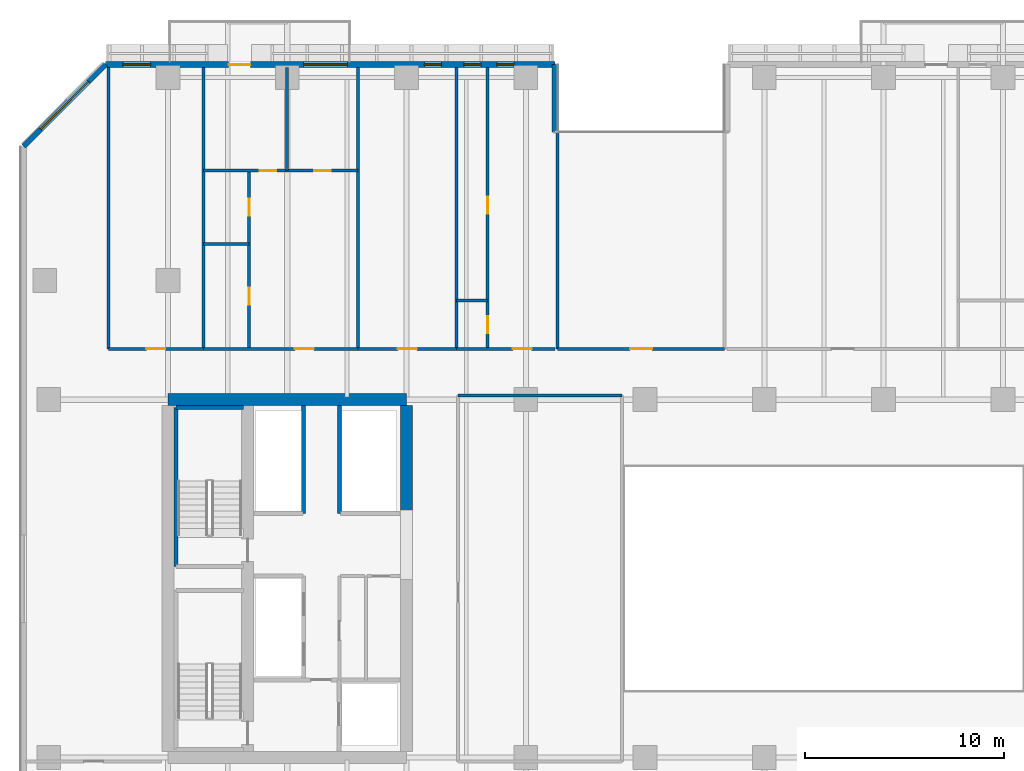
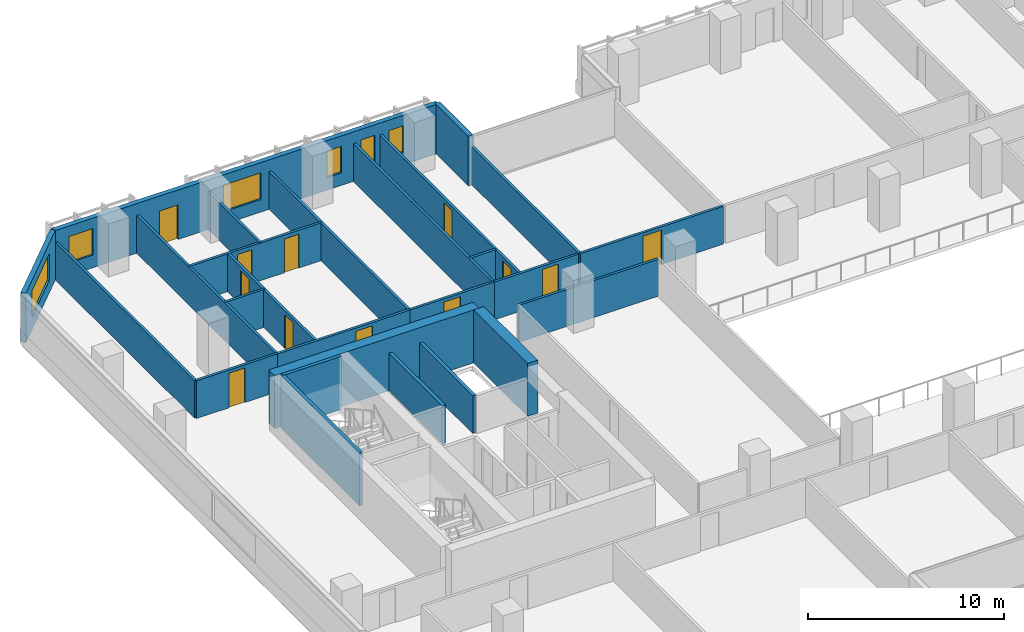
# One storey, part 12 of 25: 26 walls, 12 doors, 6 windows, 18 openings.
"""IFC4 building model written with IfcOpenShell, lengths in metres."""

from ifc_helpers import new_model, si_unit, direction, frame, frame_2d, origin, place, context, subcontext, project, spatial, rectangle, extrude, material, layer, layer_set, type_object, element, fill, save


model = new_model("IFC4")

# Units and contexts
model_context = context("Model", 3, precision=1e-05, world=origin(), true_north=direction((0.0, 1.0)))
body_context = subcontext(model_context, "Body", "Model", "MODEL_VIEW")
ifc_project = project(units=[si_unit("LENGTHUNIT", "METRE"), si_unit("AREAUNIT", "SQUARE_METRE"), si_unit("VOLUMEUNIT", "CUBIC_METRE"), si_unit("PLANEANGLEUNIT", "RADIAN"), si_unit("MASSUNIT", "GRAM", prefix="KILO")], contexts=[model_context])

# Site, building, storey
site_placement = place(None, origin())
site = spatial("IfcSite", under=ifc_project, at=site_placement, CompositionType="ELEMENT")
building_placement = place(site_placement, origin())
building = spatial("IfcBuilding", under=site, at=building_placement, Name="Tanjung Sevakor Pilgrim Tower", CompositionType="ELEMENT")
storey_placement = place(building_placement, frame((0.0, 0.0, 42.239990234375)))
storey = spatial("IfcBuildingStorey", under=building, at=storey_placement, Name="L11", CompositionType="ELEMENT", Elevation=42.239990234375)

# Walls
ifc_material_1 = material(Name="Concrete C60/75", Category="concrete")
ifc_layer_1 = layer(ifc_material_1, 0.60009765625)
ifc_layer_set_1 = layer_set([ifc_layer_1], Name="WALL-CW-600")
wall_type_1 = type_object("IfcWallType", Name="WALL-CW-600", PredefinedType="SHEAR", material=ifc_layer_set_1)
wall_1_placement = place(storey_placement, frame((36.0, 42.60009765625, 0.0), z_axis=(0.0, 0.0, 1.0), x_axis=(-1.0, 0.0, 0.0)))
element("IfcWall", 1, at=wall_1_placement, inside=storey, type_object=wall_type_1, Name="L11 W Core North Shear Wall", PredefinedType="SHEAR", context=body_context, shape_type="SweptSolid", body=[
    extrude(rectangle(XDim=12.0, YDim=0.60009765625, at=frame_2d((6.0, 0.0))), origin(), (0.0, 0.0, 1.0), 3.300048828125),
])
wall_2_placement = place(storey_placement, frame((36.0, 36.800048828125, 0.0), z_axis=(0.0, 0.0, 1.0), x_axis=(0.0, 1.0, 0.0)))
element("IfcWall", 2, at=wall_2_placement, inside=storey, type_object=wall_type_1, Name="L11 W Core Inner Shear Wall North", PredefinedType="SHEAR", context=body_context, shape_type="SweptSolid", body=[
    extrude(rectangle(XDim=5.5, YDim=0.60009765625, at=frame_2d((2.75, 0.0))), origin(), (0.0, 0.0, 1.0), 3.300048828125),
])
ifc_material_2 = material(Name="Concrete C40/50", Category="concrete")
ifc_layer_2 = layer(ifc_material_2, 0.14990234375)
ifc_layer_set_2 = layer_set([ifc_layer_2], Name="WT-COMP-150")
wall_type_2 = type_object("IfcWallType", Name="WT-COMP-150", PredefinedType="SOLIDWALL", material=ifc_layer_set_2)
wall_3_placement = place(storey_placement, frame((38.60009765625, 42.800048828125, 0.0), z_axis=(0.0, 0.0, 1.0), x_axis=(1.0, 0.0, 0.0)))
element("IfcWall", 3, at=wall_3_placement, inside=storey, type_object=wall_type_2, Name="L11 Partition IW-L11-026", PredefinedType="SOLIDWALL", context=body_context, shape_type="SweptSolid", body=[
    extrude(rectangle(XDim=8.25, YDim=0.14990234375, at=frame_2d((4.125, 0.0))), origin(), (0.0, 0.0, 1.0), 2.295166015625),
])

# Wall, opening, door
wall_4_placement = place(storey_placement, frame((43.60009765625, 45.14990234375, 0.0), z_axis=(0.0, 0.0, 1.0), x_axis=(1.0, 0.0, 0.0)))
wall_4 = element("IfcWall", 4, at=wall_4_placement, inside=storey, type_object=wall_type_2, Name="L11 Partition IW-L11-043", PredefinedType="SOLIDWALL", context=body_context, shape_type="SweptSolid", body=[
    extrude(rectangle(XDim=8.39990234375, YDim=0.14990234375, at=frame_2d((4.199951171875, 0.0))), origin(), (0.0, 0.0, 1.0), 2.35009765625),
])
opening_1_placement = place(wall_4_placement, frame((3.64990234375, 0.0, 0.0)))
opening_1 = element("IfcOpeningElement", 5, at=opening_1_placement, cuts=wall_4, Name="Opening ID-RM2", PredefinedType="OPENING", context=body_context, shape_type="SweptSolid", body=[
    extrude(rectangle(XDim=1.10009765625, YDim=2.14990234375, at=frame_2d((0.550048828125, 1.074951171875))), frame((0.0, 0.0849609375, 0.0), z_axis=(0.0, -1.0, 0.0), x_axis=(1.0, 0.0, 0.0)), (0.0, 0.0, 1.0), 0.169921875),
])
ifc_material_3 = material(Name="Hardwood Timber", Category="wood")
door_type_1 = type_object("IfcDoorType", Name="DT-INT-1100", OperationType="NOTDEFINED", PredefinedType="DOOR", material=ifc_material_3)
door_1_placement = place(opening_1_placement, origin())
door_1 = element("IfcDoor", 6, at=door_1_placement, inside=storey, type_object=door_type_1, Name="L11 North Cleft Prayer Room Door", OperationType="SINGLE_SWING_RIGHT", OverallHeight=2.14990234375, OverallWidth=1.10009765625, PredefinedType="DOOR", context=body_context, shape_type="SweptSolid", body=[
    extrude(rectangle(XDim=1.10009765625, YDim=2.14990234375, at=frame_2d((0.550048828125, 1.074951171875))), frame((0.0, 0.02490234375, 0.0), z_axis=(0.0, -1.0, 0.0), x_axis=(1.0, 0.0, 0.0)), (0.0, 0.0, 1.0), 0.050048828125),
])
fill(opening_1, door_1)

# Walls
for number, where, z_axis, x_axis, name in (
    (7, (43.60009765625, 45.14990234375, 0.0), (0.0, 0.0, 1.0), (0.0, 1.0, 0.0), "L11 Partition IW-L11-044"),
    (8, (21.0, 45.14990234375, 0.0), (0.0, 0.0, 1.0), (0.0, 1.0, 0.0), "L11 Partition IW-L11-066"),
    (9, (25.779296875, 45.14990234375, 0.0), (0.0, 0.0, 1.0), (0.0, 1.0, 0.0), "L11 Partition IW-L11-067"),
):
    element("IfcWall", number, at=place(storey_placement, frame(where, z_axis=z_axis, x_axis=x_axis)), inside=storey, type_object=wall_type_2, Name=name, PredefinedType="SOLIDWALL", context=body_context, shape_type="SweptSolid", body=[
        extrude(rectangle(XDim=14.170166015625, YDim=0.14990234375, at=frame_2d((7.0849609375, 0.0))), origin(), (0.0, 0.0, 1.0), 2.35009765625),
    ])

# Wall, opening, door
wall_5_placement = place(storey_placement, frame((21.0, 45.14990234375, 0.0), z_axis=(0.0, 0.0, 1.0), x_axis=(1.0, 0.0, 0.0)))
wall_5 = element("IfcWall", 10, at=wall_5_placement, inside=storey, type_object=wall_type_2, Name="L11 Partition IW-L11-068", PredefinedType="SOLIDWALL", context=body_context, shape_type="SweptSolid", body=[
    extrude(rectangle(XDim=4.779296875, YDim=0.14990234375, at=frame_2d((2.3896484375, 0.0))), origin(), (0.0, 0.0, 1.0), 2.35009765625),
])
opening_2_placement = place(wall_5_placement, frame((1.91455078125, 0.0, 0.0)))
opening_2 = element("IfcOpeningElement", 11, at=opening_2_placement, cuts=wall_5, Name="Opening ID-FD2", PredefinedType="OPENING", context=body_context, shape_type="SweptSolid", body=[
    extrude(rectangle(XDim=0.949951171875, YDim=2.14990234375, at=frame_2d((0.47509765625, 1.074951171875))), frame((0.0, 0.0849609375, 0.0), z_axis=(0.0, -1.0, 0.0), x_axis=(1.0, 0.0, 0.0)), (0.0, 0.0, 1.0), 0.169921875),
])
ifc_material_4 = material(Name="Fire-Rated Timber", Category="wood")
door_type_2 = type_object("IfcDoorType", Name="DT-FIRE-950", OperationType="NOTDEFINED", PredefinedType="DOOR", material=ifc_material_4)
door_2_placement = place(opening_2_placement, origin())
door_2 = element("IfcDoor", 12, at=door_2_placement, inside=storey, type_object=door_type_2, Name="Study Room Entrance", OperationType="SINGLE_SWING_RIGHT", OverallHeight=2.14990234375, OverallWidth=0.949951171875, PredefinedType="DOOR", context=body_context, shape_type="SweptSolid", body=[
    extrude(rectangle(XDim=0.949951171875, YDim=2.14990234375, at=frame_2d((0.47509765625, 1.074951171875))), frame((0.0, 0.02490234375, 0.0), z_axis=(0.0, -1.0, 0.0), x_axis=(1.0, 0.0, 0.0)), (0.0, 0.0, 1.0), 0.050048828125),
])
fill(opening_2, door_2)

# Wall
wall_6_placement = place(storey_placement, frame((33.5673828125, 45.14990234375, 0.0), z_axis=(0.0, 0.0, 1.0), x_axis=(0.0, 1.0, 0.0)))
element("IfcWall", 13, at=wall_6_placement, inside=storey, type_object=wall_type_2, Name="L11 Partition IW-L11-069", PredefinedType="SOLIDWALL", context=body_context, shape_type="SweptSolid", body=[
    extrude(rectangle(XDim=14.170166015625, YDim=0.14990234375, at=frame_2d((7.0849609375, 0.0))), origin(), (0.0, 0.0, 1.0), 2.35009765625),
])

# Wall, opening, door
wall_7_placement = place(storey_placement, frame((25.779296875, 45.14990234375, 0.0), z_axis=(0.0, 0.0, 1.0), x_axis=(1.0, 0.0, 0.0)))
wall_7 = element("IfcWall", 14, at=wall_7_placement, inside=storey, type_object=wall_type_2, Name="L11 Partition IW-L11-074", PredefinedType="SOLIDWALL", context=body_context, shape_type="SweptSolid", body=[
    extrude(rectangle(XDim=7.7880859375, YDim=0.14990234375, at=frame_2d((3.89404296875, 0.0))), origin(), (0.0, 0.0, 1.0), 2.35009765625),
])
opening_3_placement = place(wall_7_placement, frame((4.609619140625, 0.0, 0.0)))
opening_3 = element("IfcOpeningElement", 15, at=opening_3_placement, cuts=wall_7, Name="Opening ID-FD2", PredefinedType="OPENING", context=body_context, shape_type="SweptSolid", body=[
    extrude(rectangle(XDim=0.949951171875, YDim=2.14990234375, at=frame_2d((0.47509765625, 1.074951171875))), frame((0.0, 0.0849609375, 0.0), z_axis=(0.0, -1.0, 0.0), x_axis=(1.0, 0.0, 0.0)), (0.0, 0.0, 1.0), 0.169921875),
])
door_3_placement = place(opening_3_placement, origin())
door_3 = element("IfcDoor", 16, at=door_3_placement, inside=storey, type_object=door_type_2, Name="Suite Entrance", OperationType="SINGLE_SWING_LEFT", OverallHeight=2.14990234375, OverallWidth=0.949951171875, PredefinedType="DOOR", context=body_context, shape_type="SweptSolid", body=[
    extrude(rectangle(XDim=0.949951171875, YDim=2.14990234375, at=frame_2d((0.47509765625, 1.074951171875))), frame((0.0, 0.02490234375, 0.0), z_axis=(0.0, -1.0, 0.0), x_axis=(1.0, 0.0, 0.0)), (0.0, 0.0, 1.0), 0.050048828125),
])
fill(opening_3, door_3)

# Wall
wall_8_placement = place(storey_placement, frame((38.523681640625, 45.14990234375, 0.0), z_axis=(0.0, 0.0, 1.0), x_axis=(0.0, 1.0, 0.0)))
element("IfcWall", 17, at=wall_8_placement, inside=storey, type_object=wall_type_2, Name="L11 Partition IW-L11-075", PredefinedType="SOLIDWALL", context=body_context, shape_type="SweptSolid", body=[
    extrude(rectangle(XDim=14.170166015625, YDim=0.14990234375, at=frame_2d((7.0849609375, 0.0))), origin(), (0.0, 0.0, 1.0), 2.35009765625),
])

# Wall, opening, door
wall_9_placement = place(storey_placement, frame((33.5673828125, 45.14990234375, 0.0), z_axis=(0.0, 0.0, 1.0), x_axis=(1.0, 0.0, 0.0)))
wall_9 = element("IfcWall", 18, at=wall_9_placement, inside=storey, type_object=wall_type_2, Name="L11 Partition IW-L11-076", PredefinedType="SOLIDWALL", context=body_context, shape_type="SweptSolid", body=[
    extrude(rectangle(XDim=4.956298828125, YDim=0.14990234375, at=frame_2d((2.47802734375, 0.0))), origin(), (0.0, 0.0, 1.0), 2.35009765625),
])
opening_4_placement = place(wall_9_placement, frame((2.003173828125, 0.0, 0.0)))
opening_4 = element("IfcOpeningElement", 19, at=opening_4_placement, cuts=wall_9, Name="Opening ID-FD2", PredefinedType="OPENING", context=body_context, shape_type="SweptSolid", body=[
    extrude(rectangle(XDim=0.949951171875, YDim=2.14990234375, at=frame_2d((0.47509765625, 1.074951171875))), frame((0.0, 0.0849609375, 0.0), z_axis=(0.0, -1.0, 0.0), x_axis=(1.0, 0.0, 0.0)), (0.0, 0.0, 1.0), 0.169921875),
])
door_4_placement = place(opening_4_placement, origin())
door_4 = element("IfcDoor", 20, at=door_4_placement, inside=storey, type_object=door_type_2, Name="Study Room Entrance", OperationType="SINGLE_SWING_RIGHT", OverallHeight=2.14990234375, OverallWidth=0.949951171875, PredefinedType="DOOR", context=body_context, shape_type="SweptSolid", body=[
    extrude(rectangle(XDim=0.949951171875, YDim=2.14990234375, at=frame_2d((0.47509765625, 1.074951171875))), frame((0.0, 0.02490234375, 0.0), z_axis=(0.0, -1.0, 0.0), x_axis=(1.0, 0.0, 0.0)), (0.0, 0.0, 1.0), 0.050048828125),
])
fill(opening_4, door_4)

wall_10_placement = place(storey_placement, frame((38.523681640625, 45.14990234375, 0.0), z_axis=(0.0, 0.0, 1.0), x_axis=(1.0, 0.0, 0.0)))
wall_10 = element("IfcWall", 21, at=wall_10_placement, inside=storey, type_object=wall_type_2, Name="L11 Partition IW-L11-079", PredefinedType="SOLIDWALL", context=body_context, shape_type="SweptSolid", body=[
    extrude(rectangle(XDim=4.956298828125, YDim=0.14990234375, at=frame_2d((2.47802734375, 0.0))), origin(), (0.0, 0.0, 1.0), 2.35009765625),
])
opening_5_placement = place(wall_10_placement, frame((2.8212890625, 0.0, 0.0)))
opening_5 = element("IfcOpeningElement", 22, at=opening_5_placement, cuts=wall_10, Name="Opening ID-FD2", PredefinedType="OPENING", context=body_context, shape_type="SweptSolid", body=[
    extrude(rectangle(XDim=0.949951171875, YDim=2.14990234375, at=frame_2d((0.47509765625, 1.074951171875))), frame((0.0, 0.0849609375, 0.0), z_axis=(0.0, -1.0, 0.0), x_axis=(1.0, 0.0, 0.0)), (0.0, 0.0, 1.0), 0.169921875),
])
door_5_placement = place(opening_5_placement, origin())
door_5 = element("IfcDoor", 23, at=door_5_placement, inside=storey, type_object=door_type_2, Name="Hostel Quad Entrance", OperationType="SINGLE_SWING_LEFT", OverallHeight=2.14990234375, OverallWidth=0.949951171875, PredefinedType="DOOR", context=body_context, shape_type="SweptSolid", body=[
    extrude(rectangle(XDim=0.949951171875, YDim=2.14990234375, at=frame_2d((0.47509765625, 1.074951171875))), frame((0.0, 0.02490234375, 0.0), z_axis=(0.0, -1.0, 0.0), x_axis=(1.0, 0.0, 0.0)), (0.0, 0.0, 1.0), 0.050048828125),
])
fill(opening_5, door_5)

# Wall
ifc_material_5 = material(Name="Precast concrete C45/55", Category="concrete")
ifc_layer_3 = layer(ifc_material_5, 0.280029296875)
ifc_layer_set_3 = layer_set([ifc_layer_3], Name="WT-EW-STN2")
wall_type_3 = type_object("IfcWallType", Name="WT-EW-STN2", PredefinedType="SOLIDWALL", material=ifc_layer_set_3)
wall_11_placement = place(storey_placement, frame((43.4599609375, 56.06005859375, 0.0), z_axis=(0.0, 0.0, 1.0), x_axis=(0.0, 1.0, 0.0)))
element("IfcWall", 24, at=wall_11_placement, inside=storey, type_object=wall_type_3, Name="L11 MAIN Exterior Wall 12", PredefinedType="SOLIDWALL", context=body_context, shape_type="SweptSolid", body=[
    extrude(rectangle(XDim=3.39990234375, YDim=0.280029296875, at=frame_2d((1.699951171875, 0.0))), origin(), (0.0, 0.0, 1.0), 3.080078125),
])

# Wall, openings, door, windows
wall_12_placement = place(storey_placement, frame((43.4599609375, 59.4599609375, 0.0), z_axis=(0.0, 0.0, 1.0), x_axis=(-1.0, 0.0, 0.0)))
wall_12 = element("IfcWall", 25, at=wall_12_placement, inside=storey, type_object=wall_type_3, Name="L11 MAIN Exterior Wall 13", PredefinedType="SOLIDWALL", context=body_context, shape_type="SweptSolid", body=[
    extrude(rectangle(XDim=22.60205078125, YDim=0.280029296875, at=frame_2d((11.301025390625, 0.0))), origin(), (0.0, 0.0, 1.0), 3.080078125),
])
opening_6_placement = place(wall_12_placement, frame((15.31005859375, 0.0, 0.0)))
opening_6 = element("IfcOpeningElement", 26, at=opening_6_placement, cuts=wall_12, Name="Opening ED-BAL-1100", PredefinedType="OPENING", context=body_context, shape_type="SweptSolid", body=[
    extrude(rectangle(XDim=1.10009765625, YDim=2.14990234375, at=frame_2d((0.550048828125, 1.074951171875))), frame((0.0, 0.14990234375, 0.0), z_axis=(0.0, -1.0, 0.0), x_axis=(1.0, 0.0, 0.0)), (0.0, 0.0, 1.0), 0.300048828125),
])
opening_7_placement = place(wall_12_placement, frame((20.330322265625, 0.0, 0.780029296875)))
opening_7 = element("IfcOpeningElement", 27, at=opening_7_placement, cuts=wall_12, Name="Opening WN-END", PredefinedType="OPENING", context=body_context, shape_type="SweptSolid", body=[
    extrude(rectangle(XDim=1.39990234375, YDim=1.64990234375, at=frame_2d((0.699951171875, 0.824951171875))), frame((0.0, 0.14990234375, 0.0), z_axis=(0.0, -1.0, 0.0), x_axis=(1.0, 0.0, 0.0)), (0.0, 0.0, 1.0), 0.300048828125),
])
opening_8_placement = place(wall_12_placement, frame((10.436279296875, 0.0, 0.780029296875)))
opening_8 = element("IfcOpeningElement", 28, at=opening_8_placement, cuts=wall_12, Name="Opening WN-Z1-1660", PredefinedType="OPENING", context=body_context, shape_type="SweptSolid", body=[
    extrude(rectangle(XDim=2.199951171875, YDim=1.659912109375, at=frame_2d((1.10009765625, 0.830078125))), frame((0.0, 0.14990234375, 0.0), z_axis=(0.0, -1.0, 0.0), x_axis=(1.0, 0.0, 0.0)), (0.0, 0.0, 1.0), 0.300048828125),
])
opening_9_placement = place(wall_12_placement, frame((5.70947265625, 0.0, 0.780029296875)))
opening_9 = element("IfcOpeningElement", 29, at=opening_9_placement, cuts=wall_12, Name="Opening WN-SLM", PredefinedType="OPENING", context=body_context, shape_type="SweptSolid", body=[
    extrude(rectangle(XDim=0.85009765625, YDim=1.64990234375, at=frame_2d((0.425048828125, 0.824951171875))), frame((0.0, 0.14990234375, 0.0), z_axis=(0.0, -1.0, 0.0), x_axis=(1.0, 0.0, 0.0)), (0.0, 0.0, 1.0), 0.300048828125),
])
opening_10_placement = place(wall_12_placement, frame((3.72314453125, 0.0, 0.780029296875)))
opening_10 = element("IfcOpeningElement", 30, at=opening_10_placement, cuts=wall_12, Name="Opening WN-SLM", PredefinedType="OPENING", context=body_context, shape_type="SweptSolid", body=[
    extrude(rectangle(XDim=0.85009765625, YDim=1.64990234375, at=frame_2d((0.425048828125, 0.824951171875))), frame((0.0, 0.14990234375, 0.0), z_axis=(0.0, -1.0, 0.0), x_axis=(1.0, 0.0, 0.0)), (0.0, 0.0, 1.0), 0.300048828125),
])
opening_11_placement = place(wall_12_placement, frame((2.06494140625, 0.0, 0.780029296875)))
opening_11 = element("IfcOpeningElement", 31, at=opening_11_placement, cuts=wall_12, Name="Opening WN-SLM", PredefinedType="OPENING", context=body_context, shape_type="SweptSolid", body=[
    extrude(rectangle(XDim=0.85009765625, YDim=1.64990234375, at=frame_2d((0.425048828125, 0.824951171875))), frame((0.0, 0.14990234375, 0.0), z_axis=(0.0, -1.0, 0.0), x_axis=(1.0, 0.0, 0.0)), (0.0, 0.0, 1.0), 0.300048828125),
])
ifc_material_6 = material(Name="Anodised Aluminium and Laminated Glass", Category="aluminium")
door_type_3 = type_object("IfcDoorType", Name="DTYP-ED-BAL-1100", OperationType="NOTDEFINED", PredefinedType="DOOR", material=ifc_material_6)
door_6_placement = place(opening_6_placement, frame((1.10009765625, 0.0, 0.0), z_axis=(0.0, 0.0, 1.0), x_axis=(-1.0, 0.0, 0.0)))
door_6 = element("IfcDoor", 32, at=door_6_placement, inside=storey, type_object=door_type_3, Name="L11 Balcony Door MAIN-N1", OperationType="SINGLE_SWING_LEFT", OverallHeight=2.14990234375, OverallWidth=1.10009765625, PredefinedType="DOOR", context=body_context, shape_type="SweptSolid", body=[
    extrude(rectangle(XDim=1.10009765625, YDim=2.14990234375, at=frame_2d((0.550048828125, 1.074951171875))), frame((0.0, 0.02490234375, 0.0), z_axis=(0.0, -1.0, 0.0), x_axis=(1.0, 0.0, 0.0)), (0.0, 0.0, 1.0), 0.050048828125),
])
fill(opening_6, door_6)
ifc_material_7 = material(Name="Thermally Broken Aluminium and Low-E Glass", Category="aluminium")
window_type_1 = type_object("IfcWindowType", Name="WTYP-WN-END", PartitioningType="SINGLE_PANEL", PredefinedType="WINDOW", material=ifc_material_7)
window_1_placement = place(opening_7_placement, origin())
window_1 = element("IfcWindow", 33, at=window_1_placement, inside=storey, type_object=window_type_1, Name="L11 Facade Window 01", OverallHeight=1.64990234375, OverallWidth=1.39990234375, PartitioningType="SINGLE_PANEL", PredefinedType="WINDOW", context=body_context, shape_type="SweptSolid", body=[
    extrude(rectangle(XDim=1.39990234375, YDim=1.64990234375, at=frame_2d((0.699951171875, 0.824951171875))), frame((0.0, 0.030029296875, 0.0), z_axis=(0.0, -1.0, 0.0), x_axis=(1.0, 0.0, 0.0)), (0.0, 0.0, 1.0), 0.06005859375),
])
fill(opening_7, window_1)
ifc_material_8 = material(Name="Thermally Broken Aluminium and Low-E Glass", Category="aluminium")
window_type_2 = type_object("IfcWindowType", Name="WTYP-WN-SLM", PartitioningType="SINGLE_PANEL", PredefinedType="WINDOW", material=ifc_material_8)
window_2_placement = place(opening_9_placement, origin())
window_2 = element("IfcWindow", 34, at=window_2_placement, inside=storey, type_object=window_type_2, Name="L11 Facade Window 03", OverallHeight=1.64990234375, OverallWidth=0.85009765625, PartitioningType="SINGLE_PANEL", PredefinedType="WINDOW", context=body_context, shape_type="SweptSolid", body=[
    extrude(rectangle(XDim=0.85009765625, YDim=1.64990234375, at=frame_2d((0.425048828125, 0.824951171875))), frame((0.0, 0.030029296875, 0.0), z_axis=(0.0, -1.0, 0.0), x_axis=(1.0, 0.0, 0.0)), (0.0, 0.0, 1.0), 0.06005859375),
])
fill(opening_9, window_2)
window_3_placement = place(opening_10_placement, origin())
window_3 = element("IfcWindow", 35, at=window_3_placement, inside=storey, type_object=window_type_2, Name="L11 Facade Window 04", OverallHeight=1.64990234375, OverallWidth=0.85009765625, PartitioningType="SINGLE_PANEL", PredefinedType="WINDOW", context=body_context, shape_type="SweptSolid", body=[
    extrude(rectangle(XDim=0.85009765625, YDim=1.64990234375, at=frame_2d((0.425048828125, 0.824951171875))), frame((0.0, 0.030029296875, 0.0), z_axis=(0.0, -1.0, 0.0), x_axis=(1.0, 0.0, 0.0)), (0.0, 0.0, 1.0), 0.06005859375),
])
fill(opening_10, window_3)
window_4_placement = place(opening_11_placement, origin())
window_4 = element("IfcWindow", 36, at=window_4_placement, inside=storey, type_object=window_type_2, Name="L11 Facade Window 05", OverallHeight=1.64990234375, OverallWidth=0.85009765625, PartitioningType="SINGLE_PANEL", PredefinedType="WINDOW", context=body_context, shape_type="SweptSolid", body=[
    extrude(rectangle(XDim=0.85009765625, YDim=1.64990234375, at=frame_2d((0.425048828125, 0.824951171875))), frame((0.0, 0.030029296875, 0.0), z_axis=(0.0, -1.0, 0.0), x_axis=(1.0, 0.0, 0.0)), (0.0, 0.0, 1.0), 0.06005859375),
])
fill(opening_11, window_4)
ifc_material_9 = material(Name="Thermally Broken Aluminium and Low-E Glass", Category="aluminium")
window_type_3 = type_object("IfcWindowType", Name="WTYP-WN-Z1-1660", PartitioningType="DOUBLE_PANEL_VERTICAL", PredefinedType="WINDOW", material=ifc_material_9)
window_5_placement = place(opening_8_placement, origin())
window_5 = element("IfcWindow", 37, at=window_5_placement, inside=storey, type_object=window_type_3, Name="L11 Facade Window 02", OverallHeight=1.659912109375, OverallWidth=2.199951171875, PartitioningType="SINGLE_PANEL", PredefinedType="WINDOW", context=body_context, shape_type="SweptSolid", body=[
    extrude(rectangle(XDim=2.199951171875, YDim=1.659912109375, at=frame_2d((1.10009765625, 0.830078125))), frame((0.0, 0.030029296875, 0.0), z_axis=(0.0, -1.0, 0.0), x_axis=(1.0, 0.0, 0.0)), (0.0, 0.0, 1.0), 0.06005859375),
])
fill(opening_8, window_5)

# Wall, opening, window
wall_13_placement = place(storey_placement, frame((20.85791015625, 59.4599609375, 0.0), z_axis=(0.0, 0.0, 1.0), x_axis=(-0.707106781187, -0.707106781187, 0.0)))
wall_13 = element("IfcWall", 38, at=wall_13_placement, inside=storey, type_object=wall_type_3, Name="L11 MAIN Sculpted Corner Wall 13", PredefinedType="SOLIDWALL", context=body_context, shape_type="SweptSolid", body=[
    extrude(rectangle(XDim=5.82373046875, YDim=0.280029296875, at=frame_2d((2.911865234375, 0.0))), origin(), (0.0, 0.0, 1.0), 3.080078125),
])
opening_12_placement = place(wall_13_placement, frame((1.2119140625, 0.0, 0.780029296875)))
opening_12 = element("IfcOpeningElement", 39, at=opening_12_placement, cuts=wall_13, Name="Opening WN-CHM-1660", PredefinedType="OPENING", context=body_context, shape_type="SweptSolid", body=[
    extrude(rectangle(XDim=3.39990234375, YDim=1.659912109375, at=frame_2d((1.699951171875, 0.830078125))), frame((0.0, 0.14990234375, 0.0), z_axis=(0.0, -1.0, 0.0), x_axis=(1.0, 0.0, 0.0)), (0.0, 0.0, 1.0), 0.300048828125),
])
ifc_material_10 = material(Name="Thermally Broken Aluminium and Low-E Glass", Category="aluminium")
window_type_4 = type_object("IfcWindowType", Name="WTYP-WN-CHM-1660", PartitioningType="DOUBLE_PANEL_VERTICAL", PredefinedType="WINDOW", material=ifc_material_10)
window_6_placement = place(opening_12_placement, origin())
window_6 = element("IfcWindow", 40, at=window_6_placement, inside=storey, type_object=window_type_4, Name="L11 Facade Window 01", OverallHeight=1.659912109375, OverallWidth=3.39990234375, PartitioningType="SINGLE_PANEL", PredefinedType="WINDOW", context=body_context, shape_type="SweptSolid", body=[
    extrude(rectangle(XDim=3.39990234375, YDim=1.659912109375, at=frame_2d((1.699951171875, 0.830078125))), frame((0.0, 0.030029296875, 0.0), z_axis=(0.0, -1.0, 0.0), x_axis=(1.0, 0.0, 0.0)), (0.0, 0.0, 1.0), 0.06005859375),
])
fill(opening_12, window_6)

# Walls
ifc_material_11 = material(Name="Concrete C40/50", Category="concrete")
ifc_layer_4 = layer(ifc_material_11, 0.199951171875)
ifc_layer_set_4 = layer_set([ifc_layer_4], Name="WT-FIRE-200")
wall_type_4 = type_object("IfcWallType", Name="WT-FIRE-200", PredefinedType="SOLIDWALL", material=ifc_layer_set_4)
wall_14_placement = place(storey_placement, frame((27.800048828125, 42.199951171875, 0.0), z_axis=(0.0, 0.0, 1.0), x_axis=(-1.0, 0.0, 0.0)))
element("IfcWall", 41, at=wall_14_placement, inside=storey, type_object=wall_type_4, Name="L11 TS-W2 Shaft Wall 2", PredefinedType="SOLIDWALL", context=body_context, shape_type="SweptSolid", body=[
    extrude(rectangle(XDim=3.400146484375, YDim=0.199951171875, at=frame_2d((1.7001953125, 0.0))), origin(), (0.0, 0.0, 1.0), 3.300048828125),
])
wall_15_placement = place(storey_placement, frame((24.39990234375, 42.199951171875, 0.0), z_axis=(0.0, 0.0, 1.0), x_axis=(0.0, -1.0, 0.0)))
element("IfcWall", 42, at=wall_15_placement, inside=storey, type_object=wall_type_4, Name="L11 TS-W2 Shaft Wall 3", PredefinedType="SOLIDWALL", context=body_context, shape_type="SweptSolid", body=[
    extrude(rectangle(XDim=8.0, YDim=0.199951171875, at=frame_2d((4.0, 0.0))), origin(), (0.0, 0.0, 1.0), 3.300048828125),
])
ifc_material_12 = material(Name="Concrete C40/50", Category="concrete")
ifc_layer_5 = layer(ifc_material_12, 0.199951171875)
ifc_layer_set_5 = layer_set([ifc_layer_5], Name="WT-FPRT-200")
wall_type_5 = type_object("IfcWallType", Name="WT-FPRT-200", PredefinedType="SOLIDWALL", material=ifc_layer_set_5)
for number, where, z_axis, x_axis, name in (
    (43, (30.820068359375, 36.8798828125, 0.0), (0.0, 0.0, 1.0), (0.0, 1.0, 0.0), "L11 Partition IW-L11-010"),
    (44, (32.6201171875, 36.8798828125, 0.0), (0.0, 0.0, 1.0), (0.0, 1.0, 0.0), "L11 Partition IW-L11-012"),
):
    element("IfcWall", number, at=place(storey_placement, frame(where, z_axis=z_axis, x_axis=x_axis)), inside=storey, type_object=wall_type_5, Name=name, PredefinedType="SOLIDWALL", context=body_context, shape_type="SweptSolid", body=[
        extrude(rectangle(XDim=5.420166015625, YDim=0.199951171875, at=frame_2d((2.7099609375, 0.0))), origin(), (0.0, 0.0, 1.0), 2.35009765625),
    ])
ifc_material_13 = material(Name="Gypsum Board Partition", Category="gypsum board")
ifc_layer_6 = layer(ifc_material_13, 0.14990234375)
ifc_layer_set_6 = layer_set([ifc_layer_6], Name="WT-PART-150")
wall_type_6 = type_object("IfcWallType", Name="WT-PART-150", PredefinedType="PARTITIONING", material=ifc_layer_set_6)
wall_16_placement = place(storey_placement, frame((25.779296875, 50.4423828125, 0.0), z_axis=(0.0, 0.0, 1.0), x_axis=(1.0, 0.0, 0.0)))
element("IfcWall", 45, at=wall_16_placement, inside=storey, type_object=wall_type_6, Name="L11 Partition IW-L11-070", PredefinedType="PARTITIONING", context=body_context, shape_type="SweptSolid", body=[
    extrude(rectangle(XDim=2.30078125, YDim=0.14990234375, at=frame_2d((1.150390625, 0.0))), origin(), (0.0, 0.0, 1.0), 2.35009765625),
])

# Wall, openings, doors
wall_17_placement = place(storey_placement, frame((28.080078125, 45.14990234375, 0.0), z_axis=(0.0, 0.0, 1.0), x_axis=(0.0, 1.0, 0.0)))
wall_17 = element("IfcWall", 46, at=wall_17_placement, inside=storey, type_object=wall_type_6, Name="L11 Partition IW-L11-071", PredefinedType="PARTITIONING", context=body_context, shape_type="SweptSolid", body=[
    extrude(rectangle(XDim=8.97021484375, YDim=0.14990234375, at=frame_2d((4.485107421875, 0.0))), origin(), (0.0, 0.0, 1.0), 2.35009765625),
])
opening_13_placement = place(wall_17_placement, frame((2.22119140625, 0.0, 0.0)))
opening_13 = element("IfcOpeningElement", 47, at=opening_13_placement, cuts=wall_17, Name="Opening ID-WC1", PredefinedType="OPENING", context=body_context, shape_type="SweptSolid", body=[
    extrude(rectangle(XDim=0.85009765625, YDim=2.10009765625, at=frame_2d((0.425048828125, 1.050048828125))), frame((0.0, 0.0849609375, 0.0), z_axis=(0.0, -1.0, 0.0), x_axis=(1.0, 0.0, 0.0)), (0.0, 0.0, 1.0), 0.169921875),
])
opening_14_placement = place(wall_17_placement, frame((6.706298828125, 0.0, 0.0)))
opening_14 = element("IfcOpeningElement", 48, at=opening_14_placement, cuts=wall_17, Name="Opening ID-WC1", PredefinedType="OPENING", context=body_context, shape_type="SweptSolid", body=[
    extrude(rectangle(XDim=0.85009765625, YDim=2.10009765625, at=frame_2d((0.425048828125, 1.050048828125))), frame((0.0, 0.0849609375, 0.0), z_axis=(0.0, -1.0, 0.0), x_axis=(1.0, 0.0, 0.0)), (0.0, 0.0, 1.0), 0.169921875),
])
ifc_material_14 = material(Name="Moisture-Resistant Timber", Category="wood")
door_type_4 = type_object("IfcDoorType", Name="DT-INT-850", OperationType="NOTDEFINED", PredefinedType="DOOR", material=ifc_material_14)
door_7_placement = place(opening_13_placement, origin())
door_7 = element("IfcDoor", 49, at=door_7_placement, inside=storey, type_object=door_type_4, Name="Suite Kitchenette Door", OperationType="SINGLE_SWING_LEFT", OverallHeight=2.10009765625, OverallWidth=0.85009765625, PredefinedType="DOOR", context=body_context, shape_type="SweptSolid", body=[
    extrude(rectangle(XDim=0.85009765625, YDim=2.10009765625, at=frame_2d((0.425048828125, 1.050048828125))), frame((0.0, 0.02490234375, 0.0), z_axis=(0.0, -1.0, 0.0), x_axis=(1.0, 0.0, 0.0)), (0.0, 0.0, 1.0), 0.050048828125),
])
fill(opening_13, door_7)
door_8_placement = place(opening_14_placement, origin())
door_8 = element("IfcDoor", 50, at=door_8_placement, inside=storey, type_object=door_type_4, Name="Suite Bathroom Door", OperationType="SINGLE_SWING_RIGHT", OverallHeight=2.10009765625, OverallWidth=0.85009765625, PredefinedType="DOOR", context=body_context, shape_type="SweptSolid", body=[
    extrude(rectangle(XDim=0.85009765625, YDim=2.10009765625, at=frame_2d((0.425048828125, 1.050048828125))), frame((0.0, 0.02490234375, 0.0), z_axis=(0.0, -1.0, 0.0), x_axis=(1.0, 0.0, 0.0)), (0.0, 0.0, 1.0), 0.050048828125),
])
fill(opening_14, door_8)

# Wall
wall_18_placement = place(storey_placement, frame((29.97998046875, 54.1201171875, 0.0), z_axis=(0.0, 0.0, 1.0), x_axis=(0.0, 1.0, 0.0)))
element("IfcWall", 51, at=wall_18_placement, inside=storey, type_object=wall_type_6, Name="L11 Partition IW-L11-072", PredefinedType="PARTITIONING", context=body_context, shape_type="SweptSolid", body=[
    extrude(rectangle(XDim=5.199951171875, YDim=0.14990234375, at=frame_2d((2.60009765625, 0.0))), origin(), (0.0, 0.0, 1.0), 2.35009765625),
])

# Wall, openings, doors
wall_19_placement = place(storey_placement, frame((25.779296875, 54.1201171875, 0.0), z_axis=(0.0, 0.0, 1.0), x_axis=(1.0, 0.0, 0.0)))
wall_19 = element("IfcWall", 52, at=wall_19_placement, inside=storey, type_object=wall_type_6, Name="L11 Partition IW-L11-073", PredefinedType="PARTITIONING", context=body_context, shape_type="SweptSolid", body=[
    extrude(rectangle(XDim=7.7880859375, YDim=0.14990234375, at=frame_2d((3.89404296875, 0.0))), origin(), (0.0, 0.0, 1.0), 2.35009765625),
])
opening_15_placement = place(wall_19_placement, frame((2.82568359375, 0.0, 0.0)))
opening_15 = element("IfcOpeningElement", 53, at=opening_15_placement, cuts=wall_19, Name="Opening ID-WC1", PredefinedType="OPENING", context=body_context, shape_type="SweptSolid", body=[
    extrude(rectangle(XDim=0.85009765625, YDim=2.10009765625, at=frame_2d((0.425048828125, 1.050048828125))), frame((0.0, 0.0849609375, 0.0), z_axis=(0.0, -1.0, 0.0), x_axis=(1.0, 0.0, 0.0)), (0.0, 0.0, 1.0), 0.169921875),
])
opening_16_placement = place(wall_19_placement, frame((5.569580078125, 0.0, 0.0)))
opening_16 = element("IfcOpeningElement", 54, at=opening_16_placement, cuts=wall_19, Name="Opening ID-WC1", PredefinedType="OPENING", context=body_context, shape_type="SweptSolid", body=[
    extrude(rectangle(XDim=0.85009765625, YDim=2.10009765625, at=frame_2d((0.425048828125, 1.050048828125))), frame((0.0, 0.0849609375, 0.0), z_axis=(0.0, -1.0, 0.0), x_axis=(1.0, 0.0, 0.0)), (0.0, 0.0, 1.0), 0.169921875),
])
door_9_placement = place(opening_15_placement, origin())
door_9 = element("IfcDoor", 55, at=door_9_placement, inside=storey, type_object=door_type_4, Name="Suite Bedroom 1 Door", OperationType="SINGLE_SWING_LEFT", OverallHeight=2.10009765625, OverallWidth=0.85009765625, PredefinedType="DOOR", context=body_context, shape_type="SweptSolid", body=[
    extrude(rectangle(XDim=0.85009765625, YDim=2.10009765625, at=frame_2d((0.425048828125, 1.050048828125))), frame((0.0, 0.02490234375, 0.0), z_axis=(0.0, -1.0, 0.0), x_axis=(1.0, 0.0, 0.0)), (0.0, 0.0, 1.0), 0.050048828125),
])
fill(opening_15, door_9)
door_10_placement = place(opening_16_placement, origin())
door_10 = element("IfcDoor", 56, at=door_10_placement, inside=storey, type_object=door_type_4, Name="Suite Bedroom 2 Door", OperationType="SINGLE_SWING_RIGHT", OverallHeight=2.10009765625, OverallWidth=0.85009765625, PredefinedType="DOOR", context=body_context, shape_type="SweptSolid", body=[
    extrude(rectangle(XDim=0.85009765625, YDim=2.10009765625, at=frame_2d((0.425048828125, 1.050048828125))), frame((0.0, 0.02490234375, 0.0), z_axis=(0.0, -1.0, 0.0), x_axis=(1.0, 0.0, 0.0)), (0.0, 0.0, 1.0), 0.050048828125),
])
fill(opening_16, door_10)

# Wall
wall_20_placement = place(storey_placement, frame((38.523681640625, 47.60009765625, 0.0), z_axis=(0.0, 0.0, 1.0), x_axis=(1.0, 0.0, 0.0)))
element("IfcWall", 57, at=wall_20_placement, inside=storey, type_object=wall_type_6, Name="L11 Partition IW-L11-077", PredefinedType="PARTITIONING", context=body_context, shape_type="SweptSolid", body=[
    extrude(rectangle(XDim=1.556396484375, YDim=0.14990234375, at=frame_2d((0.7783203125, 0.0))), origin(), (0.0, 0.0, 1.0), 2.35009765625),
])

# Wall, openings, doors
wall_21_placement = place(storey_placement, frame((40.080078125, 45.14990234375, 0.0), z_axis=(0.0, 0.0, 1.0), x_axis=(0.0, 1.0, 0.0)))
wall_21 = element("IfcWall", 58, at=wall_21_placement, inside=storey, type_object=wall_type_6, Name="L11 Partition IW-L11-078", PredefinedType="PARTITIONING", context=body_context, shape_type="SweptSolid", body=[
    extrude(rectangle(XDim=14.170166015625, YDim=0.14990234375, at=frame_2d((7.0849609375, 0.0))), origin(), (0.0, 0.0, 1.0), 2.35009765625),
])
opening_17_placement = place(wall_21_placement, frame((0.800048828125, 0.0, 0.0)))
opening_17 = element("IfcOpeningElement", 59, at=opening_17_placement, cuts=wall_21, Name="Opening ID-WC1", PredefinedType="OPENING", context=body_context, shape_type="SweptSolid", body=[
    extrude(rectangle(XDim=0.85009765625, YDim=2.10009765625, at=frame_2d((0.425048828125, 1.050048828125))), frame((0.0, 0.0849609375, 0.0), z_axis=(0.0, -1.0, 0.0), x_axis=(1.0, 0.0, 0.0)), (0.0, 0.0, 1.0), 0.169921875),
])
opening_18_placement = place(wall_21_placement, frame((6.798095703125, 0.0, 0.0)))
opening_18 = element("IfcOpeningElement", 60, at=opening_18_placement, cuts=wall_21, Name="Opening ID-WC1", PredefinedType="OPENING", context=body_context, shape_type="SweptSolid", body=[
    extrude(rectangle(XDim=0.85009765625, YDim=2.10009765625, at=frame_2d((0.425048828125, 1.050048828125))), frame((0.0, 0.0849609375, 0.0), z_axis=(0.0, -1.0, 0.0), x_axis=(1.0, 0.0, 0.0)), (0.0, 0.0, 1.0), 0.169921875),
])
door_11_placement = place(opening_17_placement, origin())
door_11 = element("IfcDoor", 61, at=door_11_placement, inside=storey, type_object=door_type_4, Name="Bathroom Door", OperationType="SINGLE_SWING_LEFT", OverallHeight=2.10009765625, OverallWidth=0.85009765625, PredefinedType="DOOR", context=body_context, shape_type="SweptSolid", body=[
    extrude(rectangle(XDim=0.85009765625, YDim=2.10009765625, at=frame_2d((0.425048828125, 1.050048828125))), frame((0.0, 0.02490234375, 0.0), z_axis=(0.0, -1.0, 0.0), x_axis=(1.0, 0.0, 0.0)), (0.0, 0.0, 1.0), 0.050048828125),
])
fill(opening_17, door_11)
door_12_placement = place(opening_18_placement, origin())
door_12 = element("IfcDoor", 62, at=door_12_placement, inside=storey, type_object=door_type_4, Name="Study Nook Door", OperationType="SINGLE_SWING_RIGHT", OverallHeight=2.10009765625, OverallWidth=0.85009765625, PredefinedType="DOOR", context=body_context, shape_type="SweptSolid", body=[
    extrude(rectangle(XDim=0.85009765625, YDim=2.10009765625, at=frame_2d((0.425048828125, 1.050048828125))), frame((0.0, 0.02490234375, 0.0), z_axis=(0.0, -1.0, 0.0), x_axis=(1.0, 0.0, 0.0)), (0.0, 0.0, 1.0), 0.050048828125),
])
fill(opening_18, door_12)

save(model, "model.ifc")
